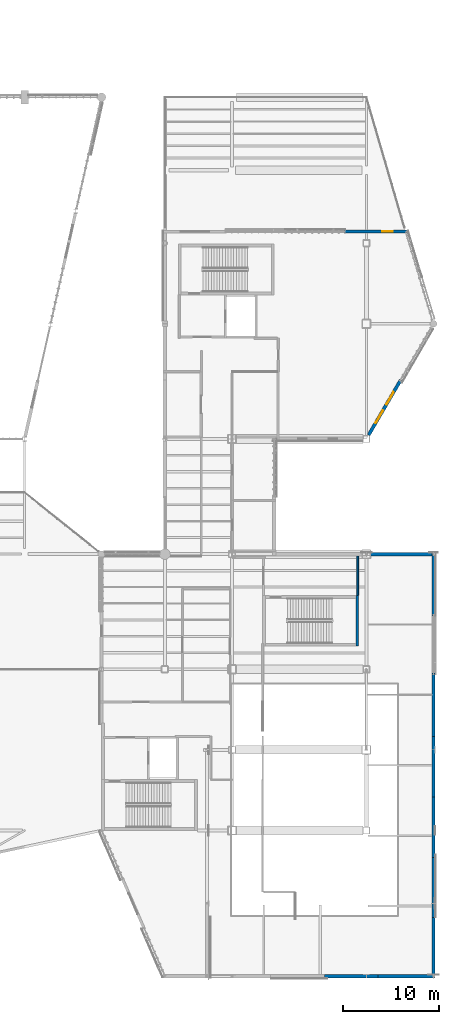
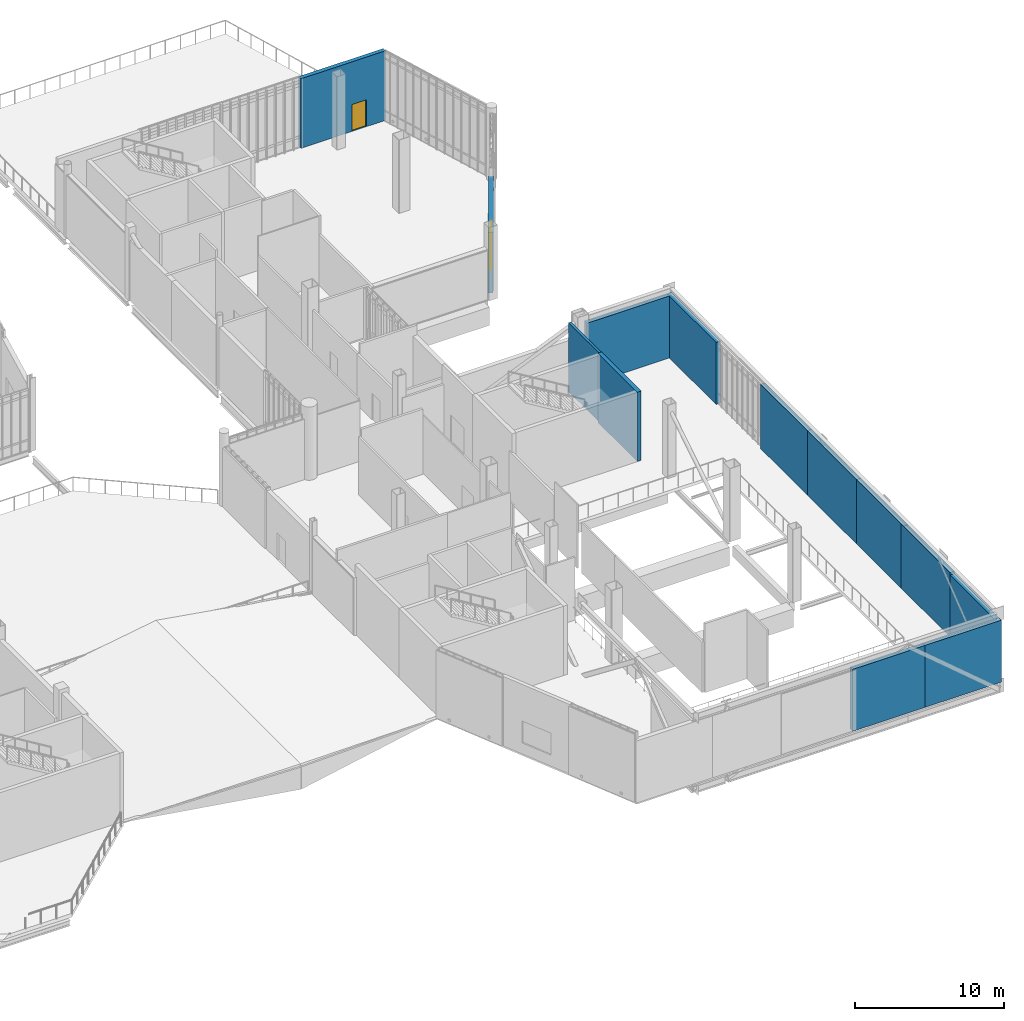
# One storey, part 114 of 135: 13 walls, 2 windows, 1 door, 3 openings.
"""IFC4 building model written with IfcOpenShell, lengths in metres."""

from ifc_helpers import new_model, si_unit, direction, frame, frame_2d, origin, place, context, subcontext, project, spatial, rectangle, extrude, material, layer, layer_set, type_object, element, fill, save


model = new_model("IFC4")

# Units and contexts
model_context = context("Model", 3, precision=1e-05, world=origin(), true_north=direction((0.0, 1.0)))
body_context = subcontext(model_context, "Body", "Model", "MODEL_VIEW")
ifc_project = project(units=[si_unit("LENGTHUNIT", "METRE"), si_unit("AREAUNIT", "SQUARE_METRE"), si_unit("VOLUMEUNIT", "CUBIC_METRE"), si_unit("PLANEANGLEUNIT", "RADIAN"), si_unit("MASSUNIT", "GRAM", prefix="KILO")], contexts=[model_context])

# Site, building, storey
site_placement = place(None, origin())
site = spatial("IfcSite", under=ifc_project, at=site_placement, CompositionType="ELEMENT")
building_placement = place(site_placement, origin())
building = spatial("IfcBuilding", under=site, at=building_placement, Name="Larkvane Passage Sports Hall", CompositionType="ELEMENT")
storey_placement = place(building_placement, frame((0.0, 0.0, 10.800048828125)))
storey = spatial("IfcBuildingStorey", under=building, at=storey_placement, Name="L02", CompositionType="ELEMENT", Elevation=10.800048828125)

# Wall
ifc_material_1 = material(Name="Concrete C50/60", Category="concrete")
ifc_layer_1 = layer(ifc_material_1, 0.300048828125)
ifc_layer_set_1 = layer_set([ifc_layer_1], Name="Concrete C50/60")
wall_type_1 = type_object("IfcWallType", Name="WL-CORE-300", PredefinedType="SHEAR", material=ifc_layer_set_1)
wall_1_placement = place(storey_placement, frame((144.64990234375, 47.300048828125, 0.0), z_axis=(0.0, 0.0, 1.0), x_axis=(0.0, -1.0, 0.0)))
element("IfcWall", 1, at=wall_1_placement, inside=storey, type_object=wall_type_1, Name="Core shear wall WAL-CORE-C7-L02-E", PredefinedType="SHEAR", context=body_context, shape_type="SweptSolid", body=[
    extrude(rectangle(XDim=5.300048828125, YDim=0.300048828125, at=frame_2d((2.64990234375, 0.0))), origin(), (0.0, 0.0, 1.0), 5.679931640625),
])

# Wall, opening, door
ifc_material_2 = material(Name="Precast concrete C45/55", Category="concrete")
ifc_layer_2 = layer(ifc_material_2, 0.31005859375)
ifc_layer_set_2 = layer_set([ifc_layer_2], Name="Precast concrete C45/55")
wall_type_2 = type_object("IfcWallType", Name="WL-EXT-310", PredefinedType="SOLIDWALL", material=ifc_layer_set_2)
wall_2_placement = place(storey_placement, frame((143.276123046875, 85.199951171875, 0.0), z_axis=(0.0, 0.0, 1.0), x_axis=(1.0, 0.0, 0.0)))
wall_2 = element("IfcWall", 2, at=wall_2_placement, inside=storey, type_object=wall_type_2, Name="Exterior wall WAL-EXT-L02-114", PredefinedType="SOLIDWALL", context=body_context, shape_type="SweptSolid", body=[
    extrude(rectangle(XDim=6.57275390625, YDim=0.31005859375, at=frame_2d((3.286376953125, 0.0))), origin(), (0.0, 0.0, 1.0), 5.699951171875),
])
opening_1_placement = place(wall_2_placement, frame((3.97412109375, 0.0, 0.0)))
opening_1 = element("IfcOpeningElement", 3, at=opening_1_placement, cuts=wall_2, Name="Opening DE-05", PredefinedType="OPENING", context=body_context, shape_type="SweptSolid", body=[
    extrude(rectangle(XDim=1.10009765625, YDim=2.199951171875, at=frame_2d((0.550048828125, 1.10009765625))), frame((0.0, 0.1650390625, 0.0), z_axis=(0.0, -1.0, 0.0), x_axis=(1.0, 0.0, 0.0)), (0.0, 0.0, 1.0), 0.330078125),
])
ifc_material_3 = material(Name="Thermally broken aluminium glazed door", Category="aluminium")
door_type = type_object("IfcDoorType", Name="DR-TER-1100", OperationType="NOTDEFINED", PredefinedType="DOOR", material=ifc_material_3)
door_placement = place(opening_1_placement, origin())
door = element("IfcDoor", 4, at=door_placement, inside=storey, type_object=door_type, Name="Exterior door L02-036", OperationType="SINGLE_SWING_RIGHT", OverallHeight=2.199951171875, OverallWidth=1.10009765625, PredefinedType="DOOR", context=body_context, shape_type="SweptSolid", body=[
    extrude(rectangle(XDim=1.10009765625, YDim=2.199951171875, at=frame_2d((0.550048828125, 1.10009765625))), frame((0.0, 0.02490234375, 0.0), z_axis=(0.0, -1.0, 0.0), x_axis=(1.0, 0.0, 0.0)), (0.0, 0.0, 1.0), 0.050048828125),
])
fill(opening_1, door)

# Wall, openings, windows
ifc_layer_3 = layer(ifc_material_2, 0.344970703125)
ifc_layer_set_3 = layer_set([ifc_layer_3], Name="Precast concrete C45/55")
wall_type_3 = type_object("IfcWallType", Name="WL-EXT-345", PredefinedType="SOLIDWALL", material=ifc_layer_set_3)
wall_3_placement = place(storey_placement, frame((149.183349609375, 69.742919921875, 0.0), z_axis=(0.0, 0.0, 1.0), x_axis=(-0.503875599769, -0.863776232573, 0.0)))
wall_3 = element("IfcWall", 5, at=wall_3_placement, inside=storey, type_object=wall_type_3, Name="Exterior wall WAL-EXT-L02-115", PredefinedType="SOLIDWALL", context=body_context, shape_type="SweptSolid", body=[
    extrude(rectangle(XDim=6.636962890625, YDim=0.344970703125, at=frame_2d((3.318359375, 0.0))), origin(), (0.0, 0.0, 1.0), 4.947998046875),
])
opening_2_placement = place(wall_3_placement, frame((1.4619140625, 0.0, 0.89990234375)))
opening_2 = element("IfcOpeningElement", 6, at=opening_2_placement, cuts=wall_3, Name="Opening W-08", PredefinedType="OPENING", context=body_context, shape_type="SweptSolid", body=[
    extrude(rectangle(XDim=1.5, YDim=1.5, at=frame_2d((0.75, 0.75))), frame((0.0, 0.182373046875, 0.0), z_axis=(0.0, -1.0, 0.0), x_axis=(1.0, 0.0, 0.0)), (0.0, 0.0, 1.0), 0.364990234375),
])
opening_3_placement = place(wall_3_placement, frame((3.675048828125, 0.0, 0.89990234375)))
opening_3 = element("IfcOpeningElement", 7, at=opening_3_placement, cuts=wall_3, Name="Opening W-08", PredefinedType="OPENING", context=body_context, shape_type="SweptSolid", body=[
    extrude(rectangle(XDim=1.5, YDim=1.5, at=frame_2d((0.75, 0.75))), frame((0.0, 0.182373046875, 0.0), z_axis=(0.0, -1.0, 0.0), x_axis=(1.0, 0.0, 0.0)), (0.0, 0.0, 1.0), 0.364990234375),
])
ifc_material_4 = material(Name="Thermally broken aluminium and laminated low-E glass", Category="aluminium")
window_type = type_object("IfcWindowType", Name="WN-CAS-1500x1500", PartitioningType="DOUBLE_PANEL_VERTICAL", PredefinedType="WINDOW", material=ifc_material_4)
window_1_placement = place(opening_2_placement, origin())
window_1 = element("IfcWindow", 8, at=window_1_placement, inside=storey, type_object=window_type, Name="Window L02-039", OverallHeight=1.5, OverallWidth=1.5, PartitioningType="DOUBLE_PANEL_VERTICAL", PredefinedType="WINDOW", context=body_context, shape_type="SweptSolid", body=[
    extrude(rectangle(XDim=1.5, YDim=1.5, at=frame_2d((0.75, 0.75))), frame((0.0, 0.030029296875, 0.0), z_axis=(0.0, -1.0, 0.0), x_axis=(1.0, 0.0, 0.0)), (0.0, 0.0, 1.0), 0.06005859375),
])
fill(opening_2, window_1)
window_2_placement = place(opening_3_placement, origin())
window_2 = element("IfcWindow", 9, at=window_2_placement, inside=storey, type_object=window_type, Name="Window L02-040", OverallHeight=1.5, OverallWidth=1.5, PartitioningType="DOUBLE_PANEL_VERTICAL", PredefinedType="WINDOW", context=body_context, shape_type="SweptSolid", body=[
    extrude(rectangle(XDim=1.5, YDim=1.5, at=frame_2d((0.75, 0.75))), frame((0.0, 0.030029296875, 0.0), z_axis=(0.0, -1.0, 0.0), x_axis=(1.0, 0.0, 0.0)), (0.0, 0.0, 1.0), 0.06005859375),
])
fill(opening_3, window_2)

# Walls
wall_4_placement = place(storey_placement, frame((146.0458984375, 51.60009765625, 0.0), z_axis=(0.0, 0.0, 1.0), x_axis=(1.0, 0.0, 0.0)))
element("IfcWall", 10, at=wall_4_placement, inside=storey, type_object=wall_type_3, Name="Exterior wall WAL-EXT-L02-119", PredefinedType="SOLIDWALL", context=body_context, shape_type="SweptSolid", body=[
    extrude(rectangle(XDim=6.7197265625, YDim=0.344970703125, at=frame_2d((3.35986328125, 0.0))), origin(), (0.0, 0.0, 1.0), 5.079833984375),
])
wall_5_placement = place(storey_placement, frame((152.60009765625, 51.765625, 0.0), z_axis=(0.0, 0.0, 1.0), x_axis=(0.0, -1.0, 0.0)))
element("IfcWall", 11, at=wall_5_placement, inside=storey, type_object=wall_type_3, Name="Exterior wall WAL-EXT-L02-120", PredefinedType="SOLIDWALL", context=body_context, shape_type="SweptSolid", body=[
    extrude(rectangle(XDim=6.616943359375, YDim=0.344970703125, at=frame_2d((3.30859375, 0.0))), origin(), (0.0, 0.0, 1.0), 5.079833984375),
])
wall_6_placement = place(storey_placement, frame((152.60009765625, 39.194091796875, 0.0), z_axis=(0.0, 0.0, 1.0), x_axis=(0.0, -1.0, 0.0)))
element("IfcWall", 12, at=wall_6_placement, inside=storey, type_object=wall_type_3, Name="Exterior wall WAL-EXT-L02-121", PredefinedType="SOLIDWALL", context=body_context, shape_type="SweptSolid", body=[
    extrude(rectangle(XDim=6.61669921875, YDim=0.344970703125, at=frame_2d((3.308349609375, 0.0))), origin(), (0.0, 0.0, 1.0), 5.27783203125),
])
for number, where, z_axis, x_axis, name in (
    (13, (152.60009765625, 32.908447265625, 0.0), (0.0, 0.0, 1.0), (0.0, -1.0, 0.0), "Exterior wall WAL-EXT-L02-122"),
    (14, (152.60009765625, 26.622802734375, 0.0), (0.0, 0.0, 1.0), (0.0, -1.0, 0.0), "Exterior wall WAL-EXT-L02-123"),
):
    element("IfcWall", number, at=place(storey_placement, frame(where, z_axis=z_axis, x_axis=x_axis)), inside=storey, type_object=wall_type_3, Name=name, PredefinedType="SOLIDWALL", context=body_context, shape_type="SweptSolid", body=[
        extrude(rectangle(XDim=6.616943359375, YDim=0.344970703125, at=frame_2d((3.30859375, 0.0))), origin(), (0.0, 0.0, 1.0), 5.27783203125),
    ])
wall_7_placement = place(storey_placement, frame((152.60009765625, 20.3369140625, 0.0), z_axis=(0.0, 0.0, 1.0), x_axis=(0.0, -1.0, 0.0)))
element("IfcWall", 15, at=wall_7_placement, inside=storey, type_object=wall_type_3, Name="Exterior wall WAL-EXT-L02-124", PredefinedType="SOLIDWALL", context=body_context, shape_type="SweptSolid", body=[
    extrude(rectangle(XDim=6.61669921875, YDim=0.344970703125, at=frame_2d((3.308349609375, 0.0))), origin(), (0.0, 0.0, 1.0), 5.26806640625),
])
wall_8_placement = place(storey_placement, frame((152.60009765625, 14.05126953125, 0.0), z_axis=(0.0, 0.0, 1.0), x_axis=(0.0, -1.0, 0.0)))
element("IfcWall", 16, at=wall_8_placement, inside=storey, type_object=wall_type_3, Name="Exterior wall WAL-EXT-L02-125", PredefinedType="SOLIDWALL", context=body_context, shape_type="SweptSolid", body=[
    extrude(rectangle(XDim=6.616943359375, YDim=0.344970703125, at=frame_2d((3.30859375, 0.0))), origin(), (0.0, 0.0, 1.0), 5.079833984375),
])
for number, where, z_axis, x_axis, name in (
    (17, (152.765625, 7.60009765625, 0.0), (0.0, 0.0, 1.0), (-1.0, 0.0, 0.0), "Exterior wall WAL-EXT-L02-126"),
    (18, (147.16552734375, 7.60009765625, 0.0), (0.0, 0.0, 1.0), (-1.0, 0.0, 0.0), "Exterior wall WAL-EXT-L02-127"),
):
    element("IfcWall", number, at=place(storey_placement, frame(where, z_axis=z_axis, x_axis=x_axis)), inside=storey, type_object=wall_type_3, Name=name, PredefinedType="SOLIDWALL", context=body_context, shape_type="SweptSolid", body=[
        extrude(rectangle(XDim=5.93115234375, YDim=0.344970703125, at=frame_2d((2.965576171875, 0.0))), origin(), (0.0, 0.0, 1.0), 5.079833984375),
    ])
ifc_material_5 = material(Name="Concrete C40/50", Category="concrete")
ifc_layer_4 = layer(ifc_material_5, 0.199951171875)
ifc_layer_set_4 = layer_set([ifc_layer_4], Name="Concrete C40/50")
wall_type_4 = type_object("IfcWallType", Name="WL-LOBBY-200", PredefinedType="SOLIDWALL", material=ifc_layer_set_4)
wall_9_placement = place(storey_placement, frame((144.699951171875, 47.300048828125, 0.0), z_axis=(0.0, 0.0, 1.0), x_axis=(0.0, 1.0, 0.0)))
element("IfcWall", 19, at=wall_9_placement, inside=storey, type_object=wall_type_4, Name="Lobby east enclosure wall C7 L02", PredefinedType="SOLIDWALL", context=body_context, shape_type="SweptSolid", body=[
    extrude(rectangle(XDim=4.099853515625, YDim=0.199951171875, at=frame_2d((2.0498046875, 0.0))), origin(), (0.0, 0.0, 1.0), 5.64990234375),
])

save(model, "model.ifc")
